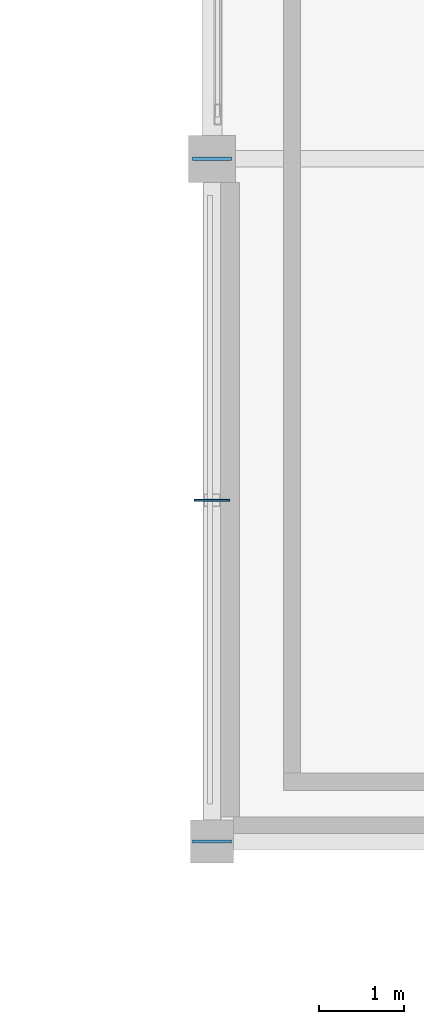
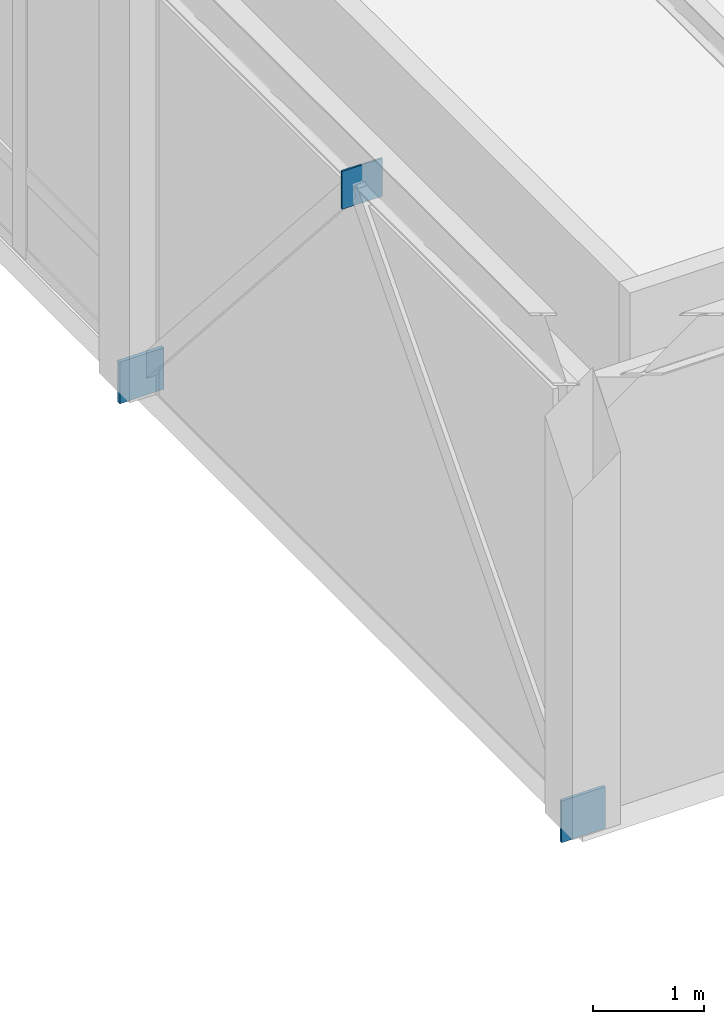
# One storey, part 166 of 203: 3 plates.
"""IFC4 building model written with IfcOpenShell, lengths in metres."""

import ifcopenshell
import ifcopenshell.guid

model = None  # the IFC model being written
_history = None  # IfcOwnerHistory: only IFC2X3 demands one
_inside = {}  # id of a spatial element -> (the spatial element, [elements in it])
_under = {}  # id of a project, library or spatial element -> (it, [spatial elements below it])
_declared = {}  # id of a project -> (the project, [libraries it declares])
_typed = {}  # id of a type object -> (the type object, [elements of that type])
_made_of = {}  # id of a material, layer set ... -> (it, [elements and type objects made of it])


def new_model(schema):
    """Start an empty IFC model of exactly this schema.

    Asked for "IFC4X3", IfcOpenShell would pick the latest addendum, in which some entities
    have other attributes; the version numbers below select the first issue.
    IFC2X3 requires an IfcOwnerHistory on every rooted entity: one is made here for all.
    """
    global model, _history
    if schema == "IFC4X3":
        model = ifcopenshell.file(schema_version=(4, 3, 0, 0))
    else:
        model = ifcopenshell.file(schema=schema)
    _inside.clear()
    _under.clear()
    _declared.clear()
    _typed.clear()
    _made_of.clear()
    _history = None
    if model.schema == "IFC2X3":
        org = make("IfcOrganization", Name="unknown")
        user = make(
            "IfcPersonAndOrganization",
            ThePerson=make("IfcPerson", FamilyName="unknown"),
            TheOrganization=org,
        )
        app = make(
            "IfcApplication",
            ApplicationDeveloper=org,
            Version="unknown",
            ApplicationFullName="unknown",
            ApplicationIdentifier="unknown",
        )
        _history = make(
            "IfcOwnerHistory",
            OwningUser=user,
            OwningApplication=app,
            ChangeAction="ADDED",
            CreationDate=0,
        )
    return model


def make(cls, **values):
    """One entity of the class cls with the attributes given. An attribute that is None is left unset."""
    return model.create_entity(
        cls, **{name: value for name, value in values.items() if value is not None}
    )


def rooted(cls, **values):
    """An entity with a GlobalId (a new one), such as an element, a storey or a relation."""
    return make(cls, GlobalId=ifcopenshell.guid.new(), OwnerHistory=_history, **values)


def si_unit(unit_type, name, prefix=None):
    """IfcSIUnit, for example si_unit("LENGTHUNIT", "METRE", prefix="MILLI")."""
    return make("IfcSIUnit", UnitType=unit_type, Prefix=prefix, Name=name)


def assignment(units):
    """IfcUnitAssignment: the units of a project."""
    return None if units is None else make("IfcUnitAssignment", Units=units)


def point(xyz):
    """IfcCartesianPoint."""
    return None if xyz is None else make("IfcCartesianPoint", Coordinates=xyz)


def direction(xyz):
    """IfcDirection."""
    return None if xyz is None else make("IfcDirection", DirectionRatios=xyz)


def frame(location, z_axis=None, x_axis=None):
    """IfcAxis2Placement3D, a coordinate frame: its origin and axes. An axis left out is left unset."""
    return make(
        "IfcAxis2Placement3D",
        Location=point(location),
        Axis=direction(z_axis),
        RefDirection=direction(x_axis),
    )


def frame_2d(location, x_axis=None):
    """IfcAxis2Placement2D, a coordinate frame in the plane: its origin and x axis."""
    return make(
        "IfcAxis2Placement2D", Location=point(location), RefDirection=direction(x_axis)
    )


def origin():
    """The frame at (0, 0, 0) with its axes left unset."""
    return frame((0.0, 0.0, 0.0))


def origin_2d():
    """The frame at (0, 0) in the plane with its x axis left unset."""
    return frame_2d((0.0, 0.0))


def place(relative_to, where):
    """IfcLocalPlacement: puts the frame where relative to a parent placement (None: the world)."""
    return make(
        "IfcLocalPlacement", PlacementRelTo=relative_to, RelativePlacement=where
    )


def context(
    kind, dimensions, precision=None, world=None, true_north=None, identifier=None
):
    """IfcGeometricRepresentationContext, for example the 3D "Model" context."""
    return make(
        "IfcGeometricRepresentationContext",
        ContextIdentifier=identifier,
        ContextType=kind,
        CoordinateSpaceDimension=dimensions,
        Precision=precision,
        WorldCoordinateSystem=world,
        TrueNorth=true_north,
    )


def subcontext(parent, identifier, kind, view, scale=None):
    """IfcGeometricRepresentationSubContext, for example "Body" below "Model"."""
    return make(
        "IfcGeometricRepresentationSubContext",
        ContextIdentifier=identifier,
        ContextType=kind,
        ParentContext=parent,
        TargetScale=scale,
        TargetView=view,
    )


def project(units=None, contexts=None):
    """IfcProject with its units and contexts."""
    return rooted(
        "IfcProject",
        Name="project",
        RepresentationContexts=contexts,
        UnitsInContext=assignment(units),
    )


def spatial(cls, under=None, at=None, **own):
    """A site, building, storey or space (cls), placed at a placement, below another one or the project."""
    s = rooted(cls, ObjectPlacement=at, **own)
    if under is not None:
        _under.setdefault(under.id(), (under, []))[1].append(s)
    return s


def profile(cls, at=None, kind="AREA", **sizes):
    """A parametric profile (cls). Its sizes go by their IFC names, for example OverallWidth=200.0."""
    return make(cls, ProfileType=kind, Position=at, **sizes)


def rectangle(**sizes):
    """IfcRectangleProfileDef."""
    return profile("IfcRectangleProfileDef", **sizes)


def extrude(swept, where, along, depth):
    """IfcExtrudedAreaSolid: the profile swept, set in the frame where, extruded along a direction by depth."""
    return make(
        "IfcExtrudedAreaSolid",
        SweptArea=swept,
        Position=where,
        ExtrudedDirection=direction(along),
        Depth=depth,
    )


def shape(context_of_items, identifier, shape_type, items):
    """IfcShapeRepresentation: the items that make up one representation, for example the "Body"."""
    return make(
        "IfcShapeRepresentation",
        ContextOfItems=context_of_items,
        RepresentationIdentifier=identifier,
        RepresentationType=shape_type,
        Items=items,
    )


def material(Name=None, Category=None):
    """IfcMaterial."""
    return make("IfcMaterial", Name=Name, Category=Category)


def layer(
    of_material, thickness, ventilated=None, Name=None, Category=None, Priority=None
):
    """IfcMaterialLayer: one layer of a wall or slab, of a material (None: an air gap)."""
    return make(
        "IfcMaterialLayer",
        Material=of_material,
        LayerThickness=thickness,
        IsVentilated=ventilated,
        Name=Name,
        Category=Category,
        Priority=Priority,
    )


def layer_set(layers, Name=None):
    """IfcMaterialLayerSet."""
    return make("IfcMaterialLayerSet", MaterialLayers=layers, LayerSetName=Name)


def made_of(thing, what):
    """Note that an element or type object is made of a material, layer set ...; save() writes the relation."""
    if what is not None:
        _made_of.setdefault(what.id(), (what, []))[1].append(thing)
    return thing


def type_object(cls, material=None, **own):
    """A type object (cls), such as IfcWallType, which elements share."""
    return made_of(rooted(cls, **own), material)


def element(
    cls,
    number,
    at=None,
    inside=None,
    cuts=None,
    type_object=None,
    material=None,
    context=None,
    identifier="Body",
    shape_type=None,
    held_by="IfcProductDefinitionShape",
    body=None,
    shapes=None,
    **own,
):
    """One element of the class cls, such as IfcWall. Its Tag is "e" and its number.

    at: its placement. inside: the storey or other place that contains it. cuts: it is an
    opening in that element (IfcRelVoidsElement). A single representation is given by context,
    identifier, shape_type and body (its items); several are given by shapes. held_by: the class
    of the entity that holds the representations. save() writes the other relations.
    """
    e = rooted(cls, Tag="e%d" % number, ObjectPlacement=at, **own)
    if body is not None:
        shapes = [shape(context, identifier, shape_type, body)]
    if shapes is not None:
        e.Representation = make(held_by, Representations=shapes)
    if inside is not None:
        _inside.setdefault(inside.id(), (inside, []))[1].append(e)
    if cuts is not None:
        rooted(
            "IfcRelVoidsElement", RelatingBuildingElement=cuts, RelatedOpeningElement=e
        )
    if type_object is not None:
        _typed.setdefault(type_object.id(), (type_object, []))[1].append(e)
    return made_of(e, material)


def aggregate(whole, parts):
    """IfcRelAggregates: a whole, such as a stair, and the parts it consists of."""
    return rooted("IfcRelAggregates", RelatingObject=whole, RelatedObjects=parts)


def save(model, path):
    """Write the relations noted so far, then the file.

    IfcRelAggregates (storeys below a building ...), IfcRelContainedInSpatialStructure (elements
    in a storey), IfcRelDefinesByType, IfcRelAssociatesMaterial and IfcRelDeclares: one each for
    every whole, place, type object, material and project.
    """
    for whole, parts in _under.values():
        aggregate(whole, parts)
    for where, things in _inside.values():
        rooted(
            "IfcRelContainedInSpatialStructure",
            RelatedElements=things,
            RelatingStructure=where,
        )
    for kind, things in _typed.values():
        rooted("IfcRelDefinesByType", RelatedObjects=things, RelatingType=kind)
    for what, things in _made_of.values():
        rooted("IfcRelAssociatesMaterial", RelatedObjects=things, RelatingMaterial=what)
    for by, libraries in _declared.values():
        rooted("IfcRelDeclares", RelatingContext=by, RelatedDefinitions=libraries)
    model.write(path)


model = new_model("IFC4")

# Units and contexts
model_context = context("Model", 3, precision=1e-05, world=origin(), true_north=direction((0.0, 1.0)))
body_context = subcontext(model_context, "Body", "Model", "MODEL_VIEW")
ifc_project = project(units=[si_unit("LENGTHUNIT", "METRE"), si_unit("AREAUNIT", "SQUARE_METRE"), si_unit("VOLUMEUNIT", "CUBIC_METRE"), si_unit("PLANEANGLEUNIT", "RADIAN"), si_unit("MASSUNIT", "GRAM", prefix="KILO"), si_unit("THERMODYNAMICTEMPERATUREUNIT", "KELVIN"), si_unit("POWERUNIT", "WATT")], contexts=[model_context])

# Site, building, storey
site_placement = place(None, origin())
site = spatial("IfcSite", under=ifc_project, at=site_placement, CompositionType="ELEMENT")
building_placement = place(site_placement, origin())
building = spatial("IfcBuilding", under=site, at=building_placement, Name="Tepalcoro Natatorium and Aquatics Centre", CompositionType="ELEMENT")
storey_placement = place(building_placement, origin())
storey = spatial("IfcBuildingStorey", under=building, at=storey_placement, Name="L00", CompositionType="ELEMENT", Elevation=0.0)

# Plates
ifc_material = material(Name="Plate Steel ASTM A572 Grade 50 (Fy 345 MPa)", Category="steel")
ifc_layer_1 = layer(ifc_material, 0.031982421875)
ifc_layer_set_1 = layer_set([ifc_layer_1], Name="Plate Steel ASTM A572 Grade 50 (Fy 345 MPa)")
plate_type_1 = type_object("IfcPlateType", Name="PL_CAP_32", PredefinedType="USERDEFINED", material=ifc_layer_set_1)
plate_1_placement = place(storey_placement, frame((10.0, 86.0, -0.179931640625), z_axis=(0.0, 0.0, 1.0), x_axis=(1.0, 0.0, 0.0)))
element("IfcPlate", 1, at=plate_1_placement, inside=storey, type_object=plate_type_1, Name="Truss Node Cap Plate BRB_7", ObjectType="CAP PLATE", PredefinedType="USERDEFINED", context=body_context, shape_type="SweptSolid", body=[
    extrude(rectangle(XDim=0.4599609375, YDim=0.031982421875, at=origin_2d()), origin(), (0.0, 0.0, 1.0), 0.4599609375),
])
ifc_layer_2 = layer(ifc_material, 0.02001953125)
ifc_layer_set_2 = layer_set([ifc_layer_2], Name="Plate Steel ASTM A572 Grade 50 (Fy 345 MPa)")
plate_type_2 = type_object("IfcPlateType", Name="PL_GUSSET_20", PredefinedType="USERDEFINED", material=ifc_layer_set_2)
plate_2_placement = place(storey_placement, frame((10.0, 90.0, 4.380126953125), z_axis=(0.0, 0.0, 1.0), x_axis=(1.0, 0.0, 0.0)))
element("IfcPlate", 2, at=plate_2_placement, inside=storey, type_object=plate_type_2, Name="V4 L00 Chevron Gusset Plate GP1", ObjectType="GUSSET PLATE", PredefinedType="USERDEFINED", context=body_context, shape_type="SweptSolid", body=[
    extrude(rectangle(XDim=0.419921875, YDim=0.02001953125, at=origin_2d()), origin(), (0.0, 0.0, 1.0), 0.419921875),
])
ifc_layer_3 = layer(ifc_material, 0.0400390625)
ifc_layer_set_3 = layer_set([ifc_layer_3], Name="Plate Steel ASTM A572 Grade 50 (Fy 345 MPa)")
plate_type_3 = type_object("IfcPlateType", Name="PL_GUSSET_40", PredefinedType="USERDEFINED", material=ifc_layer_set_3)
plate_3_placement = place(storey_placement, frame((10.0, 94.0, -0.179931640625), z_axis=(0.0, 0.0, 1.0), x_axis=(1.0, 0.0, 0.0)))
element("IfcPlate", 3, at=plate_3_placement, inside=storey, type_object=plate_type_3, Name="Truss Node Gusset Plate BRB_7", ObjectType="GUSSET PLATE", PredefinedType="USERDEFINED", context=body_context, shape_type="SweptSolid", body=[
    extrude(rectangle(XDim=0.4599609375, YDim=0.0400390625, at=origin_2d()), origin(), (0.0, 0.0, 1.0), 0.4599609375),
])

save(model, "model.ifc")
